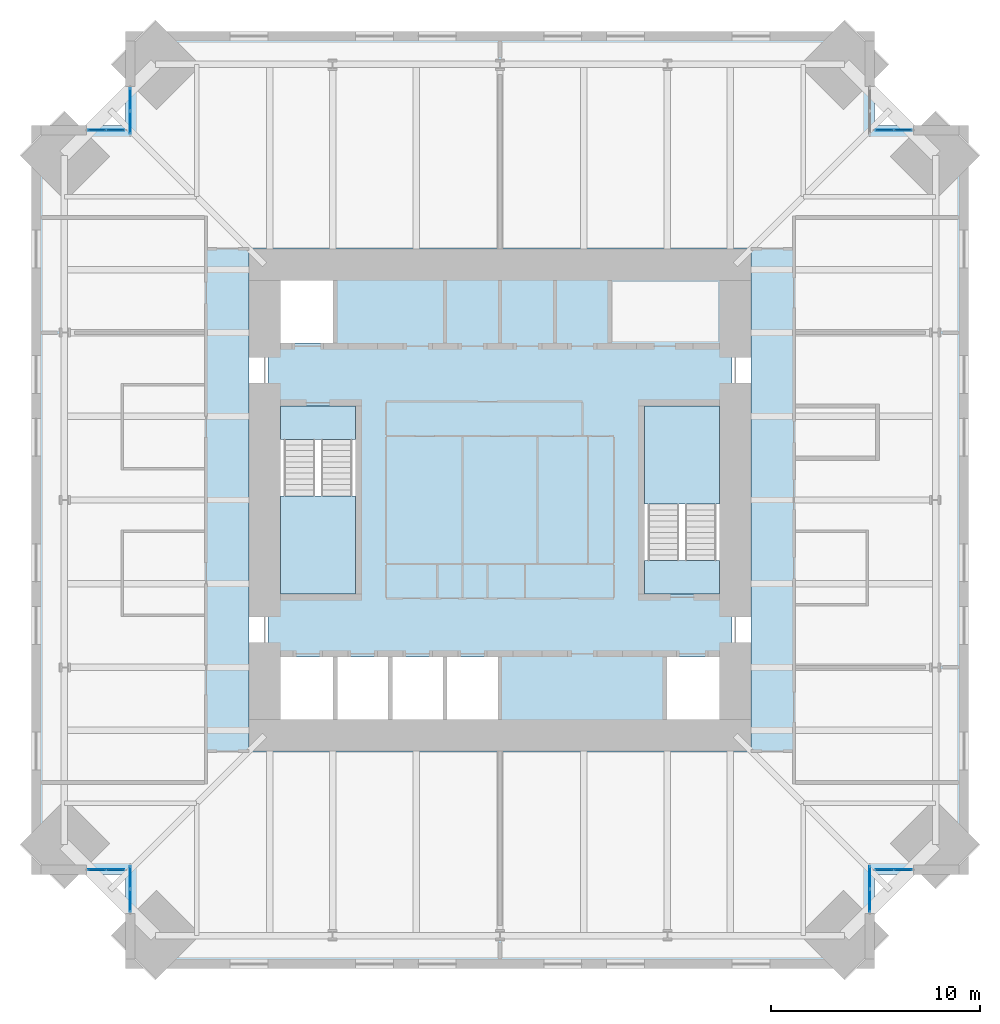
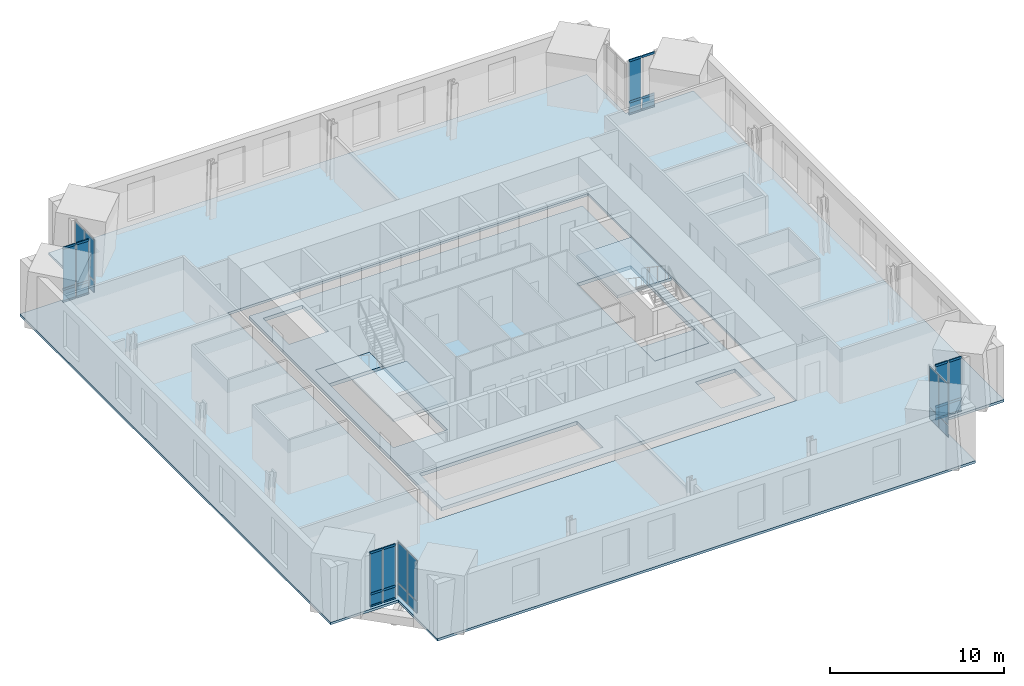
# One storey, part 12 of 18: 27 plates, 24 members, 6 slabs, 9 elements without a shape of their own.
"""IFC4 building model written with IfcOpenShell, lengths in metres."""

from ifc_helpers import new_model, si_unit, direction, frame, origin, origin_2d, place, context, subcontext, project, spatial, polyline, rectangle, hollow_rectangle, outline, extrude, material, layer, layer_set, material_profile, profile_set, type_object, element, aggregate, save


model = new_model("IFC4")

# Units and contexts
model_context = context("Model", 3, precision=1e-05, world=origin(), true_north=direction((0.0, 1.0)))
body_context = subcontext(model_context, "Body", "Model", "MODEL_VIEW")
ifc_project = project(units=[si_unit("LENGTHUNIT", "METRE"), si_unit("AREAUNIT", "SQUARE_METRE"), si_unit("VOLUMEUNIT", "CUBIC_METRE"), si_unit("PLANEANGLEUNIT", "RADIAN"), si_unit("MASSUNIT", "GRAM", prefix="KILO")], contexts=[model_context])

# Site, building, storey
site_placement = place(None, origin())
site = spatial("IfcSite", under=ifc_project, at=site_placement, CompositionType="ELEMENT")
building_placement = place(site_placement, origin())
building = spatial("IfcBuilding", under=site, at=building_placement, Name="Peilmerk Tower", CompositionType="ELEMENT")
storey_placement = place(building_placement, frame((0.0, 0.0, 249.800048828125)))
storey = spatial("IfcBuildingStorey", under=building, at=storey_placement, Name="L55", CompositionType="ELEMENT", Elevation=249.800048828125)

# Curtain wall, members
ifc_material_1 = material(Name="Aluminium stick curtain wall", Category="aluminium")
curtain_wall_type = type_object("IfcCurtainWallType", Name="CW4 stick curtain wall, 2250 module", PredefinedType="NOTDEFINED", material=ifc_material_1)
curtain_wall_1_placement = place(storey_placement, origin())
curtain_wall_1 = element("IfcCurtainWall", 1, at=curtain_wall_1_placement, inside=storey, type_object=curtain_wall_type, Name="Curtain wall CW4 NEB L55", PredefinedType="NOTDEFINED")
ifc_material_2 = material(Name="Aluminium EN AW-6063 T6", Category="aluminium")
ifc_material_profile = material_profile(ifc_material_2, hollow_rectangle(XDim=0.06494140625, YDim=0.14990234375, WallThickness=0.0029296875, at=origin_2d()), Name="AL 150x65x3")
ifc_profile_set = profile_set([ifc_material_profile], Name="Aluminium EN AW-6063 T6")
member_type = type_object("IfcMemberType", Name="CW4-T AL 150x65x3 transom", PredefinedType="USERDEFINED", material=ifc_profile_set)
member_1_placement = place(storey_placement, frame((17.965087890625, 17.675048828125, 0.032470703125), z_axis=(1.0, 0.0, 0.0), x_axis=(0.0, 1.0, 0.0)))
member_1 = element("IfcMember", 2, at=member_1_placement, type_object=member_type, Name="CW4 transom 1.1", ObjectType="TRANSOM", PredefinedType="USERDEFINED", context=body_context, shape_type="SweptSolid", body=[
    extrude(hollow_rectangle(XDim=0.06494140625, YDim=0.14990234375, WallThickness=0.0029296875, at=origin_2d()), origin(), (0.0, 0.0, 1.0), 0.82177734375),
])
member_2_placement = place(storey_placement, frame((17.965087890625, 17.675048828125, 0.89990234375), z_axis=(1.0, 0.0, 0.0), x_axis=(0.0, 1.0, 0.0)))
member_2 = element("IfcMember", 3, at=member_2_placement, type_object=member_type, Name="CW4 transom 1.2", ObjectType="TRANSOM", PredefinedType="USERDEFINED", context=body_context, shape_type="SweptSolid", body=[
    extrude(hollow_rectangle(XDim=0.06494140625, YDim=0.14990234375, WallThickness=0.0029296875, at=origin_2d()), origin(), (0.0, 0.0, 1.0), 0.82177734375),
])
member_3_placement = place(storey_placement, frame((17.965087890625, 17.675048828125, 3.79736328125), z_axis=(1.0, 0.0, 0.0), x_axis=(0.0, 1.0, 0.0)))
member_3 = element("IfcMember", 4, at=member_3_placement, type_object=member_type, Name="CW4 transom 1.3", ObjectType="TRANSOM", PredefinedType="USERDEFINED", context=body_context, shape_type="SweptSolid", body=[
    extrude(hollow_rectangle(XDim=0.06494140625, YDim=0.14990234375, WallThickness=0.0029296875, at=origin_2d()), origin(), (0.0, 0.0, 1.0), 0.82177734375),
])
member_4_placement = place(storey_placement, frame((18.851806640625, 17.675048828125, 0.032470703125), z_axis=(1.0, 0.0, 0.0), x_axis=(0.0, 1.0, 0.0)))
member_4 = element("IfcMember", 5, at=member_4_placement, type_object=member_type, Name="CW4 transom 2.1", ObjectType="TRANSOM", PredefinedType="USERDEFINED", context=body_context, shape_type="SweptSolid", body=[
    extrude(hollow_rectangle(XDim=0.06494140625, YDim=0.14990234375, WallThickness=0.0029296875, at=origin_2d()), origin(), (0.0, 0.0, 1.0), 0.82177734375),
])
member_5_placement = place(storey_placement, frame((18.851806640625, 17.675048828125, 0.89990234375), z_axis=(1.0, 0.0, 0.0), x_axis=(0.0, 1.0, 0.0)))
member_5 = element("IfcMember", 6, at=member_5_placement, type_object=member_type, Name="CW4 transom 2.2", ObjectType="TRANSOM", PredefinedType="USERDEFINED", context=body_context, shape_type="SweptSolid", body=[
    extrude(hollow_rectangle(XDim=0.06494140625, YDim=0.14990234375, WallThickness=0.0029296875, at=origin_2d()), origin(), (0.0, 0.0, 1.0), 0.82177734375),
])
member_6_placement = place(storey_placement, frame((18.851806640625, 17.675048828125, 3.79736328125), z_axis=(1.0, 0.0, 0.0), x_axis=(0.0, 1.0, 0.0)))
member_6 = element("IfcMember", 7, at=member_6_placement, type_object=member_type, Name="CW4 transom 2.3", ObjectType="TRANSOM", PredefinedType="USERDEFINED", context=body_context, shape_type="SweptSolid", body=[
    extrude(hollow_rectangle(XDim=0.06494140625, YDim=0.14990234375, WallThickness=0.0029296875, at=origin_2d()), origin(), (0.0, 0.0, 1.0), 0.82177734375),
])

curtain_wall_2_placement = place(storey_placement, origin())
curtain_wall_2 = element("IfcCurtainWall", 8, at=curtain_wall_2_placement, inside=storey, type_object=curtain_wall_type, Name="Curtain wall CW4 SEB L55", PredefinedType="NOTDEFINED")
member_7_placement = place(storey_placement, frame((17.965087890625, -17.675048828125, 0.032470703125), z_axis=(1.0, 0.0, 0.0), x_axis=(0.0, 1.0, 0.0)))
member_7 = element("IfcMember", 9, at=member_7_placement, type_object=member_type, Name="CW4 transom 1.1", ObjectType="TRANSOM", PredefinedType="USERDEFINED", context=body_context, shape_type="SweptSolid", body=[
    extrude(hollow_rectangle(XDim=0.06494140625, YDim=0.14990234375, WallThickness=0.0029296875, at=origin_2d()), origin(), (0.0, 0.0, 1.0), 0.82177734375),
])
member_8_placement = place(storey_placement, frame((17.965087890625, -17.675048828125, 0.89990234375), z_axis=(1.0, 0.0, 0.0), x_axis=(0.0, 1.0, 0.0)))
member_8 = element("IfcMember", 10, at=member_8_placement, type_object=member_type, Name="CW4 transom 1.2", ObjectType="TRANSOM", PredefinedType="USERDEFINED", context=body_context, shape_type="SweptSolid", body=[
    extrude(hollow_rectangle(XDim=0.06494140625, YDim=0.14990234375, WallThickness=0.0029296875, at=origin_2d()), origin(), (0.0, 0.0, 1.0), 0.82177734375),
])
member_9_placement = place(storey_placement, frame((17.965087890625, -17.675048828125, 3.79736328125), z_axis=(1.0, 0.0, 0.0), x_axis=(0.0, 1.0, 0.0)))
member_9 = element("IfcMember", 11, at=member_9_placement, type_object=member_type, Name="CW4 transom 1.3", ObjectType="TRANSOM", PredefinedType="USERDEFINED", context=body_context, shape_type="SweptSolid", body=[
    extrude(hollow_rectangle(XDim=0.06494140625, YDim=0.14990234375, WallThickness=0.0029296875, at=origin_2d()), origin(), (0.0, 0.0, 1.0), 0.82177734375),
])
member_10_placement = place(storey_placement, frame((18.851806640625, -17.675048828125, 0.032470703125), z_axis=(1.0, 0.0, 0.0), x_axis=(0.0, 1.0, 0.0)))
member_10 = element("IfcMember", 12, at=member_10_placement, type_object=member_type, Name="CW4 transom 2.1", ObjectType="TRANSOM", PredefinedType="USERDEFINED", context=body_context, shape_type="SweptSolid", body=[
    extrude(hollow_rectangle(XDim=0.06494140625, YDim=0.14990234375, WallThickness=0.0029296875, at=origin_2d()), origin(), (0.0, 0.0, 1.0), 0.82177734375),
])
member_11_placement = place(storey_placement, frame((18.851806640625, -17.675048828125, 0.89990234375), z_axis=(1.0, 0.0, 0.0), x_axis=(0.0, 1.0, 0.0)))
member_11 = element("IfcMember", 13, at=member_11_placement, type_object=member_type, Name="CW4 transom 2.2", ObjectType="TRANSOM", PredefinedType="USERDEFINED", context=body_context, shape_type="SweptSolid", body=[
    extrude(hollow_rectangle(XDim=0.06494140625, YDim=0.14990234375, WallThickness=0.0029296875, at=origin_2d()), origin(), (0.0, 0.0, 1.0), 0.82177734375),
])
member_12_placement = place(storey_placement, frame((18.851806640625, -17.675048828125, 3.79736328125), z_axis=(1.0, 0.0, 0.0), x_axis=(0.0, 1.0, 0.0)))
member_12 = element("IfcMember", 14, at=member_12_placement, type_object=member_type, Name="CW4 transom 2.3", ObjectType="TRANSOM", PredefinedType="USERDEFINED", context=body_context, shape_type="SweptSolid", body=[
    extrude(hollow_rectangle(XDim=0.06494140625, YDim=0.14990234375, WallThickness=0.0029296875, at=origin_2d()), origin(), (0.0, 0.0, 1.0), 0.82177734375),
])

curtain_wall_3_placement = place(storey_placement, origin())
curtain_wall_3 = element("IfcCurtainWall", 15, at=curtain_wall_3_placement, inside=storey, type_object=curtain_wall_type, Name="Curtain wall CW4 SWB L55", PredefinedType="NOTDEFINED")
member_13_placement = place(storey_placement, frame((-17.965087890625, -17.675048828125, 0.032470703125), z_axis=(-1.0, 0.0, 0.0), x_axis=(0.0, -1.0, 0.0)))
member_13 = element("IfcMember", 16, at=member_13_placement, type_object=member_type, Name="CW4 transom 1.1", ObjectType="TRANSOM", PredefinedType="USERDEFINED", context=body_context, shape_type="SweptSolid", body=[
    extrude(hollow_rectangle(XDim=0.06494140625, YDim=0.14990234375, WallThickness=0.0029296875, at=origin_2d()), origin(), (0.0, 0.0, 1.0), 0.82177734375),
])
member_14_placement = place(storey_placement, frame((-17.965087890625, -17.675048828125, 0.89990234375), z_axis=(-1.0, 0.0, 0.0), x_axis=(0.0, -1.0, 0.0)))
member_14 = element("IfcMember", 17, at=member_14_placement, type_object=member_type, Name="CW4 transom 1.2", ObjectType="TRANSOM", PredefinedType="USERDEFINED", context=body_context, shape_type="SweptSolid", body=[
    extrude(hollow_rectangle(XDim=0.06494140625, YDim=0.14990234375, WallThickness=0.0029296875, at=origin_2d()), origin(), (0.0, 0.0, 1.0), 0.82177734375),
])
member_15_placement = place(storey_placement, frame((-17.965087890625, -17.675048828125, 3.79736328125), z_axis=(-1.0, 0.0, 0.0), x_axis=(0.0, -1.0, 0.0)))
member_15 = element("IfcMember", 18, at=member_15_placement, type_object=member_type, Name="CW4 transom 1.3", ObjectType="TRANSOM", PredefinedType="USERDEFINED", context=body_context, shape_type="SweptSolid", body=[
    extrude(hollow_rectangle(XDim=0.06494140625, YDim=0.14990234375, WallThickness=0.0029296875, at=origin_2d()), origin(), (0.0, 0.0, 1.0), 0.82177734375),
])
member_16_placement = place(storey_placement, frame((-18.851806640625, -17.675048828125, 0.032470703125), z_axis=(-1.0, 0.0, 0.0), x_axis=(0.0, -1.0, 0.0)))
member_16 = element("IfcMember", 19, at=member_16_placement, type_object=member_type, Name="CW4 transom 2.1", ObjectType="TRANSOM", PredefinedType="USERDEFINED", context=body_context, shape_type="SweptSolid", body=[
    extrude(hollow_rectangle(XDim=0.06494140625, YDim=0.14990234375, WallThickness=0.0029296875, at=origin_2d()), origin(), (0.0, 0.0, 1.0), 0.82177734375),
])
member_17_placement = place(storey_placement, frame((-18.851806640625, -17.675048828125, 0.89990234375), z_axis=(-1.0, 0.0, 0.0), x_axis=(0.0, -1.0, 0.0)))
member_17 = element("IfcMember", 20, at=member_17_placement, type_object=member_type, Name="CW4 transom 2.2", ObjectType="TRANSOM", PredefinedType="USERDEFINED", context=body_context, shape_type="SweptSolid", body=[
    extrude(hollow_rectangle(XDim=0.06494140625, YDim=0.14990234375, WallThickness=0.0029296875, at=origin_2d()), origin(), (0.0, 0.0, 1.0), 0.82177734375),
])
member_18_placement = place(storey_placement, frame((-18.851806640625, -17.675048828125, 3.79736328125), z_axis=(-1.0, 0.0, 0.0), x_axis=(0.0, -1.0, 0.0)))
member_18 = element("IfcMember", 21, at=member_18_placement, type_object=member_type, Name="CW4 transom 2.3", ObjectType="TRANSOM", PredefinedType="USERDEFINED", context=body_context, shape_type="SweptSolid", body=[
    extrude(hollow_rectangle(XDim=0.06494140625, YDim=0.14990234375, WallThickness=0.0029296875, at=origin_2d()), origin(), (0.0, 0.0, 1.0), 0.82177734375),
])

curtain_wall_4_placement = place(storey_placement, origin())
curtain_wall_4 = element("IfcCurtainWall", 22, at=curtain_wall_4_placement, inside=storey, type_object=curtain_wall_type, Name="Curtain wall CW4 NWB L55", PredefinedType="NOTDEFINED")
member_19_placement = place(storey_placement, frame((-17.965087890625, 17.675048828125, 0.032470703125), z_axis=(-1.0, 0.0, 0.0), x_axis=(0.0, -1.0, 0.0)))
member_19 = element("IfcMember", 23, at=member_19_placement, type_object=member_type, Name="CW4 transom 1.1", ObjectType="TRANSOM", PredefinedType="USERDEFINED", context=body_context, shape_type="SweptSolid", body=[
    extrude(hollow_rectangle(XDim=0.06494140625, YDim=0.14990234375, WallThickness=0.0029296875, at=origin_2d()), origin(), (0.0, 0.0, 1.0), 0.82177734375),
])
member_20_placement = place(storey_placement, frame((-17.965087890625, 17.675048828125, 0.89990234375), z_axis=(-1.0, 0.0, 0.0), x_axis=(0.0, -1.0, 0.0)))
member_20 = element("IfcMember", 24, at=member_20_placement, type_object=member_type, Name="CW4 transom 1.2", ObjectType="TRANSOM", PredefinedType="USERDEFINED", context=body_context, shape_type="SweptSolid", body=[
    extrude(hollow_rectangle(XDim=0.06494140625, YDim=0.14990234375, WallThickness=0.0029296875, at=origin_2d()), origin(), (0.0, 0.0, 1.0), 0.82177734375),
])
member_21_placement = place(storey_placement, frame((-17.965087890625, 17.675048828125, 3.79736328125), z_axis=(-1.0, 0.0, 0.0), x_axis=(0.0, -1.0, 0.0)))
member_21 = element("IfcMember", 25, at=member_21_placement, type_object=member_type, Name="CW4 transom 1.3", ObjectType="TRANSOM", PredefinedType="USERDEFINED", context=body_context, shape_type="SweptSolid", body=[
    extrude(hollow_rectangle(XDim=0.06494140625, YDim=0.14990234375, WallThickness=0.0029296875, at=origin_2d()), origin(), (0.0, 0.0, 1.0), 0.82177734375),
])
member_22_placement = place(storey_placement, frame((-18.851806640625, 17.675048828125, 0.032470703125), z_axis=(-1.0, 0.0, 0.0), x_axis=(0.0, -1.0, 0.0)))
member_22 = element("IfcMember", 26, at=member_22_placement, type_object=member_type, Name="CW4 transom 2.1", ObjectType="TRANSOM", PredefinedType="USERDEFINED", context=body_context, shape_type="SweptSolid", body=[
    extrude(hollow_rectangle(XDim=0.06494140625, YDim=0.14990234375, WallThickness=0.0029296875, at=origin_2d()), origin(), (0.0, 0.0, 1.0), 0.82177734375),
])
member_23_placement = place(storey_placement, frame((-18.851806640625, 17.675048828125, 0.89990234375), z_axis=(-1.0, 0.0, 0.0), x_axis=(0.0, -1.0, 0.0)))
member_23 = element("IfcMember", 27, at=member_23_placement, type_object=member_type, Name="CW4 transom 2.2", ObjectType="TRANSOM", PredefinedType="USERDEFINED", context=body_context, shape_type="SweptSolid", body=[
    extrude(hollow_rectangle(XDim=0.06494140625, YDim=0.14990234375, WallThickness=0.0029296875, at=origin_2d()), origin(), (0.0, 0.0, 1.0), 0.82177734375),
])
member_24_placement = place(storey_placement, frame((-18.851806640625, 17.675048828125, 3.79736328125), z_axis=(-1.0, 0.0, 0.0), x_axis=(0.0, -1.0, 0.0)))
member_24 = element("IfcMember", 28, at=member_24_placement, type_object=member_type, Name="CW4 transom 2.3", ObjectType="TRANSOM", PredefinedType="USERDEFINED", context=body_context, shape_type="SweptSolid", body=[
    extrude(hollow_rectangle(XDim=0.06494140625, YDim=0.14990234375, WallThickness=0.0029296875, at=origin_2d()), origin(), (0.0, 0.0, 1.0), 0.82177734375),
])

# Slab
ifc_material_3 = material(Name="Concrete C55/67", Category="concrete")
ifc_layer_1 = layer(ifc_material_3, 0.25)
ifc_layer_set_1 = layer_set([ifc_layer_1], Name="Concrete C55/67")
slab_type_1 = type_object("IfcSlabType", Name="CS250 250 core floor slab", PredefinedType="FLOOR", material=ifc_layer_set_1)
slab_1_placement = place(storey_placement, frame((0.0, 0.0, -0.25)))
element("IfcSlab", 29, at=slab_1_placement, inside=storey, type_object=slab_type_1, Name="Core slab L55", PredefinedType="FLOOR", context=body_context, shape_type="SweptSolid", body=[
    extrude(outline(polyline([(11.10009765625, -11.10009765625), (11.10009765625, 11.10009765625), (-11.10009765625, 11.10009765625), (-11.10009765625, -11.10009765625), (11.10009765625, -11.10009765625)]), holes=[polyline([(-7.875, 7.5), (-10.5, 7.5), (-10.5, 10.5), (-7.875, 10.5), (-7.875, 7.5)]), polyline([(0.0, -10.5), (-10.5, -10.5), (-10.5, -7.5), (0.0, -7.5), (0.0, -10.5)]), polyline([(7.875, -10.5), (7.875, -7.5), (10.5, -7.5), (10.5, -10.5), (7.875, -10.5)]), polyline([(-10.5, 4.5), (-6.89990234375, 4.5), (-6.89990234375, -4.5), (-10.5, -4.5), (-10.5, 4.5)]), polyline([(10.5, 4.5), (10.5, -4.5), (6.89990234375, -4.5), (6.89990234375, 4.5), (10.5, 4.5)])]), origin(), (0.0, 0.0, 1.0), 0.25),
])

# Plate
ifc_material_4 = material(Name="Clear insulated glazing unit", Category="glass")
ifc_layer_2 = layer(ifc_material_4, 0.028076171875)
ifc_layer_set_2 = layer_set([ifc_layer_2], Name="Clear insulated glazing unit")
plate_type = type_object("IfcPlateType", Name="CW4-P 28 glazed panel", PredefinedType="CURTAIN_PANEL", material=ifc_layer_set_2)
plate_1_placement = place(storey_placement, frame((18.3759765625, 17.675048828125, 0.06494140625), z_axis=(0.0, 0.0, 1.0), x_axis=(1.0, 0.0, 0.0)))
plate_1 = element("IfcPlate", 30, at=plate_1_placement, type_object=plate_type, Name="CW4 panel 1.1", PredefinedType="CURTAIN_PANEL", context=body_context, shape_type="SweptSolid", body=[
    extrude(rectangle(XDim=0.82177734375, YDim=0.028076171875, at=origin_2d()), origin(), (0.0, 0.0, 1.0), 0.802490234375),
])

plate_2_placement = place(storey_placement, frame((18.3759765625, 17.675048828125, 0.932373046875), z_axis=(0.0, 0.0, 1.0), x_axis=(1.0, 0.0, 0.0)))
plate_2 = element("IfcPlate", 31, at=plate_2_placement, type_object=plate_type, Name="CW4 panel 1.2", PredefinedType="CURTAIN_PANEL", context=body_context, shape_type="SweptSolid", body=[
    extrude(rectangle(XDim=0.82177734375, YDim=0.028076171875, at=origin_2d()), origin(), (0.0, 0.0, 1.0), 2.83251953125),
])

plate_3_placement = place(storey_placement, frame((19.2626953125, 17.675048828125, 0.06494140625), z_axis=(0.0, 0.0, 1.0), x_axis=(1.0, 0.0, 0.0)))
plate_3 = element("IfcPlate", 32, at=plate_3_placement, type_object=plate_type, Name="CW4 panel 2.1", PredefinedType="CURTAIN_PANEL", context=body_context, shape_type="SweptSolid", body=[
    extrude(rectangle(XDim=0.82177734375, YDim=0.028076171875, at=origin_2d()), origin(), (0.0, 0.0, 1.0), 0.802490234375),
])

aggregate(curtain_wall_1, [member_1, member_2, member_3, plate_1, plate_2, member_4, member_5, member_6, plate_3])

# Curtain wall, plates
curtain_wall_5_placement = place(storey_placement, origin())
curtain_wall_5 = element("IfcCurtainWall", 33, at=curtain_wall_5_placement, inside=storey, type_object=curtain_wall_type, Name="Curtain wall CW4 SEA L55", PredefinedType="NOTDEFINED")
plate_4_placement = place(storey_placement, frame((17.675048828125, -18.038330078125, 0.06494140625), z_axis=(0.0, 0.0, 1.0), x_axis=(0.0, -1.0, 0.0)))
plate_4 = element("IfcPlate", 34, at=plate_4_placement, type_object=plate_type, Name="CW4 panel 1.1", PredefinedType="CURTAIN_PANEL", context=body_context, shape_type="SweptSolid", body=[
    extrude(rectangle(XDim=1.046875, YDim=0.028076171875, at=origin_2d()), origin(), (0.0, 0.0, 1.0), 0.802490234375),
])
plate_5_placement = place(storey_placement, frame((17.675048828125, -18.038330078125, 0.932373046875), z_axis=(0.0, 0.0, 1.0), x_axis=(0.0, -1.0, 0.0)))
plate_5 = element("IfcPlate", 35, at=plate_5_placement, type_object=plate_type, Name="CW4 panel 1.2", PredefinedType="CURTAIN_PANEL", context=body_context, shape_type="SweptSolid", body=[
    extrude(rectangle(XDim=1.046875, YDim=0.028076171875, at=origin_2d()), origin(), (0.0, 0.0, 1.0), 2.83251953125),
])
plate_6_placement = place(storey_placement, frame((17.675048828125, -19.150146484375, 0.06494140625), z_axis=(0.0, 0.0, 1.0), x_axis=(0.0, -1.0, 0.0)))
plate_6 = element("IfcPlate", 36, at=plate_6_placement, type_object=plate_type, Name="CW4 panel 2.1", PredefinedType="CURTAIN_PANEL", context=body_context, shape_type="SweptSolid", body=[
    extrude(rectangle(XDim=1.046875, YDim=0.028076171875, at=origin_2d()), origin(), (0.0, 0.0, 1.0), 0.802490234375),
])
plate_7_placement = place(storey_placement, frame((17.675048828125, -19.150146484375, 0.932373046875), z_axis=(0.0, 0.0, 1.0), x_axis=(0.0, -1.0, 0.0)))
plate_7 = element("IfcPlate", 37, at=plate_7_placement, type_object=plate_type, Name="CW4 panel 2.2", PredefinedType="CURTAIN_PANEL", context=body_context, shape_type="SweptSolid", body=[
    extrude(rectangle(XDim=1.046875, YDim=0.028076171875, at=origin_2d()), origin(), (0.0, 0.0, 1.0), 2.83251953125),
])
aggregate(curtain_wall_5, [plate_4, plate_5, plate_6, plate_7])

# Plate
plate_8_placement = place(storey_placement, frame((18.3759765625, -17.675048828125, 0.06494140625), z_axis=(0.0, 0.0, 1.0), x_axis=(1.0, 0.0, 0.0)))
plate_8 = element("IfcPlate", 38, at=plate_8_placement, type_object=plate_type, Name="CW4 panel 1.1", PredefinedType="CURTAIN_PANEL", context=body_context, shape_type="SweptSolid", body=[
    extrude(rectangle(XDim=0.82177734375, YDim=0.028076171875, at=origin_2d()), origin(), (0.0, 0.0, 1.0), 0.802490234375),
])

plate_9_placement = place(storey_placement, frame((18.3759765625, -17.675048828125, 0.932373046875), z_axis=(0.0, 0.0, 1.0), x_axis=(1.0, 0.0, 0.0)))
plate_9 = element("IfcPlate", 39, at=plate_9_placement, type_object=plate_type, Name="CW4 panel 1.2", PredefinedType="CURTAIN_PANEL", context=body_context, shape_type="SweptSolid", body=[
    extrude(rectangle(XDim=0.82177734375, YDim=0.028076171875, at=origin_2d()), origin(), (0.0, 0.0, 1.0), 2.83251953125),
])

plate_10_placement = place(storey_placement, frame((19.2626953125, -17.675048828125, 0.06494140625), z_axis=(0.0, 0.0, 1.0), x_axis=(1.0, 0.0, 0.0)))
plate_10 = element("IfcPlate", 40, at=plate_10_placement, type_object=plate_type, Name="CW4 panel 2.1", PredefinedType="CURTAIN_PANEL", context=body_context, shape_type="SweptSolid", body=[
    extrude(rectangle(XDim=0.82177734375, YDim=0.028076171875, at=origin_2d()), origin(), (0.0, 0.0, 1.0), 0.802490234375),
])

plate_11_placement = place(storey_placement, frame((19.2626953125, -17.675048828125, 0.932373046875), z_axis=(0.0, 0.0, 1.0), x_axis=(1.0, 0.0, 0.0)))
plate_11 = element("IfcPlate", 41, at=plate_11_placement, type_object=plate_type, Name="CW4 panel 2.2", PredefinedType="CURTAIN_PANEL", context=body_context, shape_type="SweptSolid", body=[
    extrude(rectangle(XDim=0.82177734375, YDim=0.028076171875, at=origin_2d()), origin(), (0.0, 0.0, 1.0), 2.83251953125),
])

aggregate(curtain_wall_2, [member_7, member_8, member_9, plate_8, plate_9, member_10, member_11, member_12, plate_10, plate_11])

# Curtain wall, plates
curtain_wall_6_placement = place(storey_placement, origin())
curtain_wall_6 = element("IfcCurtainWall", 42, at=curtain_wall_6_placement, inside=storey, type_object=curtain_wall_type, Name="Curtain wall CW4 SWA L55", PredefinedType="NOTDEFINED")
plate_12_placement = place(storey_placement, frame((-17.675048828125, -18.038330078125, 0.06494140625), z_axis=(0.0, 0.0, 1.0), x_axis=(0.0, -1.0, 0.0)))
plate_12 = element("IfcPlate", 43, at=plate_12_placement, type_object=plate_type, Name="CW4 panel 1.1", PredefinedType="CURTAIN_PANEL", context=body_context, shape_type="SweptSolid", body=[
    extrude(rectangle(XDim=1.046875, YDim=0.028076171875, at=origin_2d()), origin(), (0.0, 0.0, 1.0), 0.802490234375),
])
plate_13_placement = place(storey_placement, frame((-17.675048828125, -18.038330078125, 0.932373046875), z_axis=(0.0, 0.0, 1.0), x_axis=(0.0, -1.0, 0.0)))
plate_13 = element("IfcPlate", 44, at=plate_13_placement, type_object=plate_type, Name="CW4 panel 1.2", PredefinedType="CURTAIN_PANEL", context=body_context, shape_type="SweptSolid", body=[
    extrude(rectangle(XDim=1.046875, YDim=0.028076171875, at=origin_2d()), origin(), (0.0, 0.0, 1.0), 2.83251953125),
])
plate_14_placement = place(storey_placement, frame((-17.675048828125, -19.150146484375, 0.06494140625), z_axis=(0.0, 0.0, 1.0), x_axis=(0.0, -1.0, 0.0)))
plate_14 = element("IfcPlate", 45, at=plate_14_placement, type_object=plate_type, Name="CW4 panel 2.1", PredefinedType="CURTAIN_PANEL", context=body_context, shape_type="SweptSolid", body=[
    extrude(rectangle(XDim=1.046875, YDim=0.028076171875, at=origin_2d()), origin(), (0.0, 0.0, 1.0), 0.802490234375),
])
plate_15_placement = place(storey_placement, frame((-17.675048828125, -19.150146484375, 0.932373046875), z_axis=(0.0, 0.0, 1.0), x_axis=(0.0, -1.0, 0.0)))
plate_15 = element("IfcPlate", 46, at=plate_15_placement, type_object=plate_type, Name="CW4 panel 2.2", PredefinedType="CURTAIN_PANEL", context=body_context, shape_type="SweptSolid", body=[
    extrude(rectangle(XDim=1.046875, YDim=0.028076171875, at=origin_2d()), origin(), (0.0, 0.0, 1.0), 2.83251953125),
])
aggregate(curtain_wall_6, [plate_12, plate_13, plate_14, plate_15])

# Plate
plate_16_placement = place(storey_placement, frame((-18.3759765625, -17.675048828125, 0.06494140625), z_axis=(0.0, 0.0, 1.0), x_axis=(-1.0, 0.0, 0.0)))
plate_16 = element("IfcPlate", 47, at=plate_16_placement, type_object=plate_type, Name="CW4 panel 1.1", PredefinedType="CURTAIN_PANEL", context=body_context, shape_type="SweptSolid", body=[
    extrude(rectangle(XDim=0.82177734375, YDim=0.028076171875, at=origin_2d()), origin(), (0.0, 0.0, 1.0), 0.802490234375),
])

plate_17_placement = place(storey_placement, frame((-18.3759765625, -17.675048828125, 0.932373046875), z_axis=(0.0, 0.0, 1.0), x_axis=(-1.0, 0.0, 0.0)))
plate_17 = element("IfcPlate", 48, at=plate_17_placement, type_object=plate_type, Name="CW4 panel 1.2", PredefinedType="CURTAIN_PANEL", context=body_context, shape_type="SweptSolid", body=[
    extrude(rectangle(XDim=0.82177734375, YDim=0.028076171875, at=origin_2d()), origin(), (0.0, 0.0, 1.0), 2.83251953125),
])

plate_18_placement = place(storey_placement, frame((-19.2626953125, -17.675048828125, 0.06494140625), z_axis=(0.0, 0.0, 1.0), x_axis=(-1.0, 0.0, 0.0)))
plate_18 = element("IfcPlate", 49, at=plate_18_placement, type_object=plate_type, Name="CW4 panel 2.1", PredefinedType="CURTAIN_PANEL", context=body_context, shape_type="SweptSolid", body=[
    extrude(rectangle(XDim=0.82177734375, YDim=0.028076171875, at=origin_2d()), origin(), (0.0, 0.0, 1.0), 0.802490234375),
])

plate_19_placement = place(storey_placement, frame((-19.2626953125, -17.675048828125, 0.932373046875), z_axis=(0.0, 0.0, 1.0), x_axis=(-1.0, 0.0, 0.0)))
plate_19 = element("IfcPlate", 50, at=plate_19_placement, type_object=plate_type, Name="CW4 panel 2.2", PredefinedType="CURTAIN_PANEL", context=body_context, shape_type="SweptSolid", body=[
    extrude(rectangle(XDim=0.82177734375, YDim=0.028076171875, at=origin_2d()), origin(), (0.0, 0.0, 1.0), 2.83251953125),
])

aggregate(curtain_wall_3, [member_13, member_14, member_15, plate_16, plate_17, member_16, member_17, member_18, plate_18, plate_19])

# Curtain wall, plates
curtain_wall_7_placement = place(storey_placement, origin())
curtain_wall_7 = element("IfcCurtainWall", 51, at=curtain_wall_7_placement, inside=storey, type_object=curtain_wall_type, Name="Curtain wall CW4 NWA L55", PredefinedType="NOTDEFINED")
plate_20_placement = place(storey_placement, frame((-17.675048828125, 18.038330078125, 0.06494140625), z_axis=(0.0, 0.0, 1.0), x_axis=(0.0, 1.0, 0.0)))
plate_20 = element("IfcPlate", 52, at=plate_20_placement, type_object=plate_type, Name="CW4 panel 1.1", PredefinedType="CURTAIN_PANEL", context=body_context, shape_type="SweptSolid", body=[
    extrude(rectangle(XDim=1.046875, YDim=0.028076171875, at=origin_2d()), origin(), (0.0, 0.0, 1.0), 0.802490234375),
])
plate_21_placement = place(storey_placement, frame((-17.675048828125, 18.038330078125, 0.932373046875), z_axis=(0.0, 0.0, 1.0), x_axis=(0.0, 1.0, 0.0)))
plate_21 = element("IfcPlate", 53, at=plate_21_placement, type_object=plate_type, Name="CW4 panel 1.2", PredefinedType="CURTAIN_PANEL", context=body_context, shape_type="SweptSolid", body=[
    extrude(rectangle(XDim=1.046875, YDim=0.028076171875, at=origin_2d()), origin(), (0.0, 0.0, 1.0), 2.83251953125),
])
plate_22_placement = place(storey_placement, frame((-17.675048828125, 19.150146484375, 0.06494140625), z_axis=(0.0, 0.0, 1.0), x_axis=(0.0, 1.0, 0.0)))
plate_22 = element("IfcPlate", 54, at=plate_22_placement, type_object=plate_type, Name="CW4 panel 2.1", PredefinedType="CURTAIN_PANEL", context=body_context, shape_type="SweptSolid", body=[
    extrude(rectangle(XDim=1.046875, YDim=0.028076171875, at=origin_2d()), origin(), (0.0, 0.0, 1.0), 0.802490234375),
])
plate_23_placement = place(storey_placement, frame((-17.675048828125, 19.150146484375, 0.932373046875), z_axis=(0.0, 0.0, 1.0), x_axis=(0.0, 1.0, 0.0)))
plate_23 = element("IfcPlate", 55, at=plate_23_placement, type_object=plate_type, Name="CW4 panel 2.2", PredefinedType="CURTAIN_PANEL", context=body_context, shape_type="SweptSolid", body=[
    extrude(rectangle(XDim=1.046875, YDim=0.028076171875, at=origin_2d()), origin(), (0.0, 0.0, 1.0), 2.83251953125),
])
aggregate(curtain_wall_7, [plate_20, plate_21, plate_22, plate_23])

# Plate
plate_24_placement = place(storey_placement, frame((-18.3759765625, 17.675048828125, 0.06494140625), z_axis=(0.0, 0.0, 1.0), x_axis=(-1.0, 0.0, 0.0)))
plate_24 = element("IfcPlate", 56, at=plate_24_placement, type_object=plate_type, Name="CW4 panel 1.1", PredefinedType="CURTAIN_PANEL", context=body_context, shape_type="SweptSolid", body=[
    extrude(rectangle(XDim=0.82177734375, YDim=0.028076171875, at=origin_2d()), origin(), (0.0, 0.0, 1.0), 0.802490234375),
])

plate_25_placement = place(storey_placement, frame((-18.3759765625, 17.675048828125, 0.932373046875), z_axis=(0.0, 0.0, 1.0), x_axis=(-1.0, 0.0, 0.0)))
plate_25 = element("IfcPlate", 57, at=plate_25_placement, type_object=plate_type, Name="CW4 panel 1.2", PredefinedType="CURTAIN_PANEL", context=body_context, shape_type="SweptSolid", body=[
    extrude(rectangle(XDim=0.82177734375, YDim=0.028076171875, at=origin_2d()), origin(), (0.0, 0.0, 1.0), 2.83251953125),
])

plate_26_placement = place(storey_placement, frame((-19.2626953125, 17.675048828125, 0.06494140625), z_axis=(0.0, 0.0, 1.0), x_axis=(-1.0, 0.0, 0.0)))
plate_26 = element("IfcPlate", 58, at=plate_26_placement, type_object=plate_type, Name="CW4 panel 2.1", PredefinedType="CURTAIN_PANEL", context=body_context, shape_type="SweptSolid", body=[
    extrude(rectangle(XDim=0.82177734375, YDim=0.028076171875, at=origin_2d()), origin(), (0.0, 0.0, 1.0), 0.802490234375),
])

plate_27_placement = place(storey_placement, frame((-19.2626953125, 17.675048828125, 0.932373046875), z_axis=(0.0, 0.0, 1.0), x_axis=(-1.0, 0.0, 0.0)))
plate_27 = element("IfcPlate", 59, at=plate_27_placement, type_object=plate_type, Name="CW4 panel 2.2", PredefinedType="CURTAIN_PANEL", context=body_context, shape_type="SweptSolid", body=[
    extrude(rectangle(XDim=0.82177734375, YDim=0.028076171875, at=origin_2d()), origin(), (0.0, 0.0, 1.0), 2.83251953125),
])

aggregate(curtain_wall_4, [member_19, member_20, member_21, plate_24, plate_25, member_22, member_23, member_24, plate_26, plate_27])

# Slab
ifc_material_5 = material(Name="Concrete C35/45", Category="concrete")
ifc_layer_3 = layer(ifc_material_5, 0.169921875)
ifc_layer_set_3 = layer_set([ifc_layer_3], Name="Concrete C35/45")
slab_type_2 = type_object("IfcSlabType", Name="FS170 170 composite floor slab", PredefinedType="FLOOR", material=ifc_layer_set_3)
slab_2_placement = place(storey_placement, frame((0.0, 0.0, -0.170166015625)))
element("IfcSlab", 60, at=slab_2_placement, inside=storey, type_object=slab_type_2, Name="Floor slab L55", PredefinedType="FLOOR", context=body_context, shape_type="SweptSolid", body=[
    extrude(outline(polyline([(-17.89990234375, -22.39990234375), (17.89990234375, -22.39990234375), (17.89990234375, -17.89990234375), (22.39990234375, -17.89990234375), (22.39990234375, 17.89990234375), (17.89990234375, 17.89990234375), (17.89990234375, 22.39990234375), (-17.89990234375, 22.39990234375), (-17.89990234375, 17.89990234375), (-22.39990234375, 17.89990234375), (-22.39990234375, -17.89990234375), (-17.89990234375, -17.89990234375), (-17.89990234375, -22.39990234375)]), holes=[polyline([(12.0, 12.0), (12.0, -12.0), (-12.0, -12.0), (-12.0, 12.0), (12.0, 12.0)])]), origin(), (0.0, 0.0, 1.0), 0.170166015625),
])

# Stair, slab
ifc_material_6 = material(Name="Precast concrete C45/55", Category="concrete")
stair_type_1 = type_object("IfcStairType", Name="ST1 22 risers of 181.8", PredefinedType="HALF_TURN_STAIR", material=ifc_material_6)
stair_1_placement = place(storey_placement, origin())
stair_1 = element("IfcStair", 61, at=stair_1_placement, inside=storey, type_object=stair_type_1, Name="Stair 1 L55 to L56", PredefinedType="HALF_TURN_STAIR")
ifc_layer_4 = layer(ifc_material_5, 0.199951171875)
ifc_layer_set_4 = layer_set([ifc_layer_4], Name="Concrete C35/45")
slab_type_3 = type_object("IfcSlabType", Name="SL1 200 concrete stair landing", PredefinedType="LANDING", material=ifc_layer_set_4)
slab_3_placement = place(storey_placement, frame((0.0, 0.0, 1.800048828125)))
slab_3 = element("IfcSlab", 62, at=slab_3_placement, type_object=slab_type_3, Name="ST1 landing 1", PredefinedType="LANDING", context=body_context, shape_type="SweptSolid", body=[
    extrude(outline(polyline([(-10.5, -4.5), (-6.89990234375, -4.5), (-6.89990234375, 0.199951171875), (-10.5, 0.199951171875), (-10.5, -4.5)])), origin(), (0.0, 0.0, 1.0), 0.199951171875),
])

stair_type_2 = type_object("IfcStairType", Name="ST2 22 risers of 181.8", PredefinedType="HALF_TURN_STAIR", material=ifc_material_6)
stair_2_placement = place(storey_placement, origin())
stair_2 = element("IfcStair", 63, at=stair_2_placement, inside=storey, type_object=stair_type_2, Name="Stair 2 L55 to L56", PredefinedType="HALF_TURN_STAIR")
slab_4_placement = place(storey_placement, frame((0.0, 0.0, 1.800048828125)))
slab_4 = element("IfcSlab", 64, at=slab_4_placement, type_object=slab_type_3, Name="ST2 landing 1", PredefinedType="LANDING", context=body_context, shape_type="SweptSolid", body=[
    extrude(outline(polyline([(6.89990234375, -0.199951171875), (10.5, -0.199951171875), (10.5, 4.5), (6.89990234375, 4.5), (6.89990234375, -0.199951171875)])), origin(), (0.0, 0.0, 1.0), 0.199951171875),
])

# Slab
ifc_layer_5 = layer(ifc_material_5, 0.25)
ifc_layer_set_5 = layer_set([ifc_layer_5], Name="Concrete C35/45")
slab_type_4 = type_object("IfcSlabType", Name="SL2 250 concrete floor landing", PredefinedType="LANDING", material=ifc_layer_set_5)
slab_5_placement = place(storey_placement, frame((0.0, 0.0, -0.25)))
slab_5 = element("IfcSlab", 65, at=slab_5_placement, type_object=slab_type_4, Name="ST1 floor landing", PredefinedType="LANDING", context=body_context, shape_type="SweptSolid", body=[
    extrude(outline(polyline([(-10.5, 2.89990234375), (-6.89990234375, 2.89990234375), (-6.89990234375, 4.5), (-10.5, 4.5), (-10.5, 2.89990234375)])), origin(), (0.0, 0.0, 1.0), 0.25),
])

aggregate(stair_1, [slab_3, slab_5])

slab_6_placement = place(storey_placement, frame((0.0, 0.0, -0.25)))
slab_6 = element("IfcSlab", 66, at=slab_6_placement, type_object=slab_type_4, Name="ST2 floor landing", PredefinedType="LANDING", context=body_context, shape_type="SweptSolid", body=[
    extrude(outline(polyline([(6.89990234375, -4.5), (10.5, -4.5), (10.5, -2.89990234375), (6.89990234375, -2.89990234375), (6.89990234375, -4.5)])), origin(), (0.0, 0.0, 1.0), 0.25),
])

aggregate(stair_2, [slab_4, slab_6])

save(model, "model.ifc")
